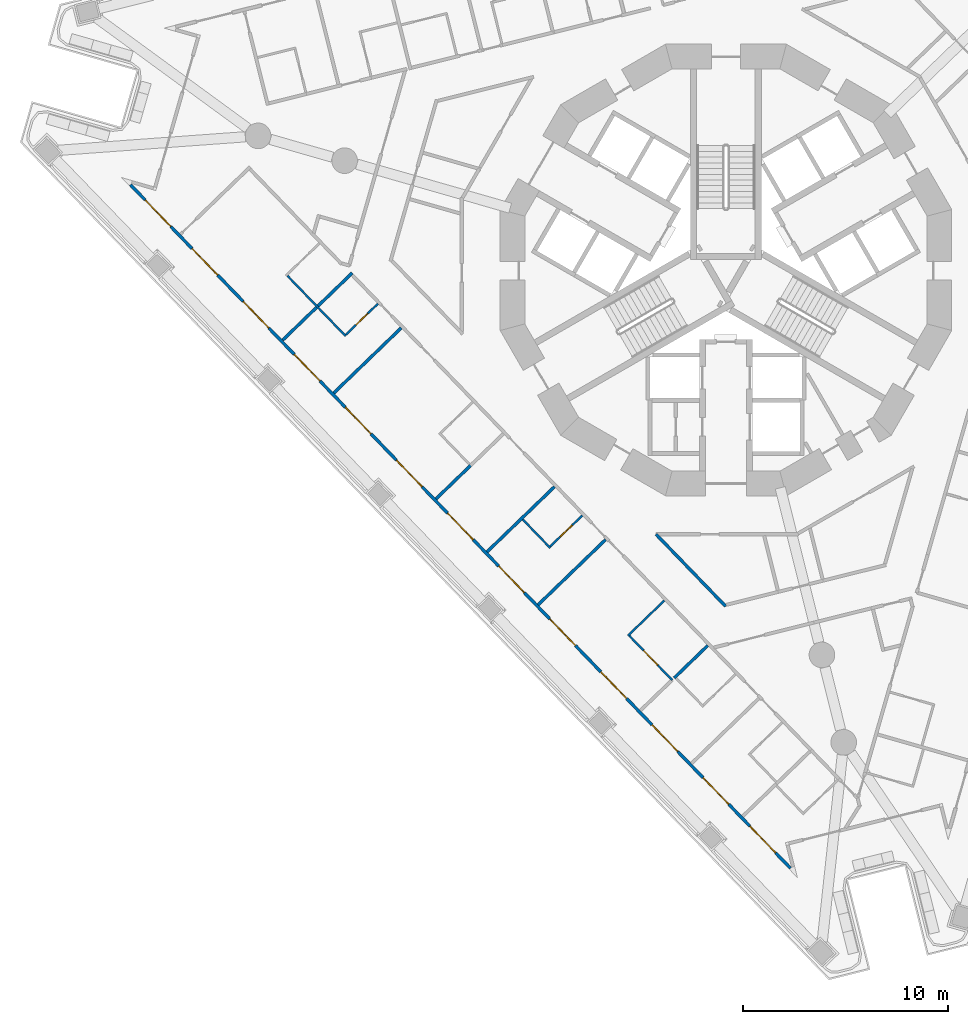
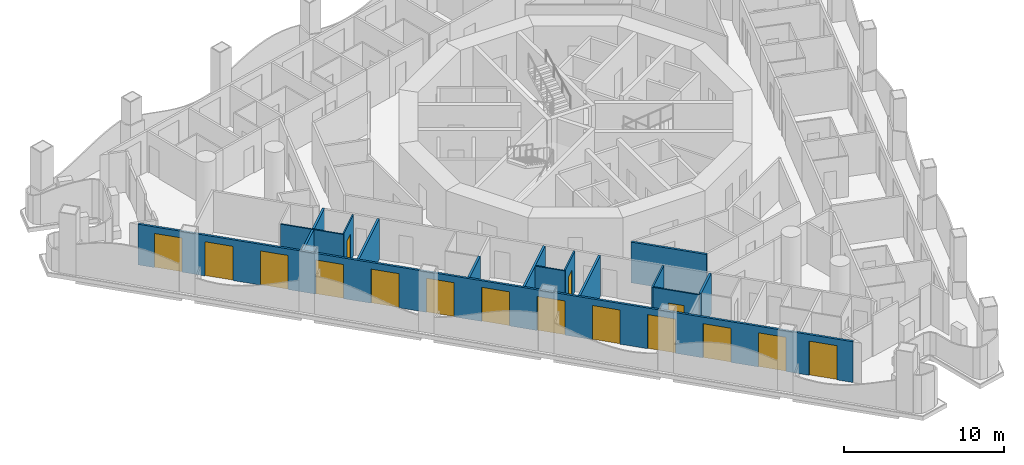
# One storey, part 2 of 20: 16 doors, 14 walls, 16 openings.
"""IFC4 building model written with IfcOpenShell, lengths in metres."""

from ifc_helpers import new_model, si_unit, direction, frame, frame_2d, origin, place, context, subcontext, project, spatial, polyline, rectangle, outline, extrude, material, layer, layer_set, type_object, element, fill, save


model = new_model("IFC4")

# Units and contexts
model_context = context("Model", 3, precision=1e-05, world=origin(), true_north=direction((0.0, 1.0)))
body_context = subcontext(model_context, "Body", "Model", "MODEL_VIEW")
ifc_project = project(units=[si_unit("LENGTHUNIT", "METRE"), si_unit("AREAUNIT", "SQUARE_METRE"), si_unit("VOLUMEUNIT", "CUBIC_METRE"), si_unit("PLANEANGLEUNIT", "RADIAN"), si_unit("MASSUNIT", "GRAM", prefix="KILO")], contexts=[model_context])

# Site, building, storey
site_placement = place(None, origin())
site = spatial("IfcSite", under=ifc_project, at=site_placement, CompositionType="ELEMENT")
building_placement = place(site_placement, origin())
building = spatial("IfcBuilding", under=site, at=building_placement, Name="Trine Commons Tower", CompositionType="ELEMENT")
storey_placement = place(building_placement, frame((0.0, 0.0, 116.10009765625)))
storey = spatial("IfcBuildingStorey", under=building, at=storey_placement, Name="L29", CompositionType="ELEMENT", Elevation=116.10009765625)

# Wall, openings, doors
ifc_material_1 = material(Name="Aluminium-framed insulated wall panel", Category="aluminium")
ifc_layer_1 = layer(ifc_material_1, 0.14990234375)
ifc_layer_set_1 = layer_set([ifc_layer_1], Name="Aluminium-framed insulated wall panel")
wall_type_1 = type_object("IfcWallType", Name="Glazed frame wall 150, EI 60", PredefinedType="SOLIDWALL", material=ifc_layer_set_1)
wall_1_placement = place(storey_placement, frame((83.25048828125, 33.21630859375, 0.0), z_axis=(0.0, 0.0, 1.0), x_axis=(-0.69466017463, 0.719338058067, 0.0)))
wall_1 = element("IfcWall", 1, at=wall_1_placement, inside=storey, type_object=wall_type_1, Name="Glazed frame wall F3", PredefinedType="SOLIDWALL", context=body_context, shape_type="SweptSolid", body=[
    extrude(outline(polyline([(0.1494140625, 0.074951171875), (0.1494140625, -0.074951171875), (46.496826171875, -0.074951171875), (46.496826171875, 0.074951171875), (0.1494140625, 0.074951171875)])), origin(), (0.0, 0.0, 1.0), 3.099853515625),
])
opening_1_placement = place(wall_1_placement, frame((1.194091796875, 0.0, 0.0)))
opening_1 = element("IfcOpeningElement", 2, at=opening_1_placement, cuts=wall_1, Name="Opening BD-3F3-01", PredefinedType="OPENING", context=body_context, shape_type="SweptSolid", body=[
    extrude(rectangle(XDim=1.800048828125, YDim=2.60009765625, at=frame_2d((0.89990234375, 1.300048828125))), frame((0.0, 0.0849609375, 0.0), z_axis=(0.0, -1.0, 0.0), x_axis=(1.0, 0.0, 0.0)), (0.0, 0.0, 1.0), 0.169921875),
])
opening_2_placement = place(wall_1_placement, frame((4.482421875, 0.0, 0.0)))
opening_2 = element("IfcOpeningElement", 3, at=opening_2_placement, cuts=wall_1, Name="Opening BD-3F3-02", PredefinedType="OPENING", context=body_context, shape_type="SweptSolid", body=[
    extrude(rectangle(XDim=1.800048828125, YDim=2.60009765625, at=frame_2d((0.89990234375, 1.300048828125))), frame((0.0, 0.0849609375, 0.0), z_axis=(0.0, -1.0, 0.0), x_axis=(1.0, 0.0, 0.0)), (0.0, 0.0, 1.0), 0.169921875),
])
opening_3_placement = place(wall_1_placement, frame((8.070556640625, 0.0, 0.0)))
opening_3 = element("IfcOpeningElement", 4, at=opening_3_placement, cuts=wall_1, Name="Opening BD-3F3-03", PredefinedType="OPENING", context=body_context, shape_type="SweptSolid", body=[
    extrude(rectangle(XDim=1.800048828125, YDim=2.60009765625, at=frame_2d((0.89990234375, 1.300048828125))), frame((0.0, 0.0849609375, 0.0), z_axis=(0.0, -1.0, 0.0), x_axis=(1.0, 0.0, 0.0)), (0.0, 0.0, 1.0), 0.169921875),
])
opening_4_placement = place(wall_1_placement, frame((11.65869140625, 0.0, 0.0)))
opening_4 = element("IfcOpeningElement", 5, at=opening_4_placement, cuts=wall_1, Name="Opening BD-3F3-04", PredefinedType="OPENING", context=body_context, shape_type="SweptSolid", body=[
    extrude(rectangle(XDim=1.800048828125, YDim=2.60009765625, at=frame_2d((0.89990234375, 1.300048828125))), frame((0.0, 0.0849609375, 0.0), z_axis=(0.0, -1.0, 0.0), x_axis=(1.0, 0.0, 0.0)), (0.0, 0.0, 1.0), 0.169921875),
])
opening_5_placement = place(wall_1_placement, frame((15.246826171875, 0.0, 0.0)))
opening_5 = element("IfcOpeningElement", 6, at=opening_5_placement, cuts=wall_1, Name="Opening BD-3F3-05", PredefinedType="OPENING", context=body_context, shape_type="SweptSolid", body=[
    extrude(rectangle(XDim=1.800048828125, YDim=2.60009765625, at=frame_2d((0.89990234375, 1.300048828125))), frame((0.0, 0.0849609375, 0.0), z_axis=(0.0, -1.0, 0.0), x_axis=(1.0, 0.0, 0.0)), (0.0, 0.0, 1.0), 0.169921875),
])
opening_6_placement = place(wall_1_placement, frame((18.835205078125, 0.0, 0.0)))
opening_6 = element("IfcOpeningElement", 7, at=opening_6_placement, cuts=wall_1, Name="Opening BD-3F3-06", PredefinedType="OPENING", context=body_context, shape_type="SweptSolid", body=[
    extrude(rectangle(XDim=1.800048828125, YDim=2.60009765625, at=frame_2d((0.89990234375, 1.300048828125))), frame((0.0, 0.0849609375, 0.0), z_axis=(0.0, -1.0, 0.0), x_axis=(1.0, 0.0, 0.0)), (0.0, 0.0, 1.0), 0.169921875),
])
opening_7_placement = place(wall_1_placement, frame((22.42333984375, 0.0, 0.0)))
opening_7 = element("IfcOpeningElement", 8, at=opening_7_placement, cuts=wall_1, Name="Opening BD-3F3-07", PredefinedType="OPENING", context=body_context, shape_type="SweptSolid", body=[
    extrude(rectangle(XDim=1.800048828125, YDim=2.60009765625, at=frame_2d((0.89990234375, 1.300048828125))), frame((0.0, 0.0849609375, 0.0), z_axis=(0.0, -1.0, 0.0), x_axis=(1.0, 0.0, 0.0)), (0.0, 0.0, 1.0), 0.169921875),
])
opening_8_placement = place(wall_1_placement, frame((26.011474609375, 0.0, 0.0)))
opening_8 = element("IfcOpeningElement", 9, at=opening_8_placement, cuts=wall_1, Name="Opening BD-3F3-08", PredefinedType="OPENING", context=body_context, shape_type="SweptSolid", body=[
    extrude(rectangle(XDim=1.800048828125, YDim=2.60009765625, at=frame_2d((0.89990234375, 1.300048828125))), frame((0.0, 0.0849609375, 0.0), z_axis=(0.0, -1.0, 0.0), x_axis=(1.0, 0.0, 0.0)), (0.0, 0.0, 1.0), 0.169921875),
])
opening_9_placement = place(wall_1_placement, frame((29.599609375, 0.0, 0.0)))
opening_9 = element("IfcOpeningElement", 10, at=opening_9_placement, cuts=wall_1, Name="Opening BD-3F3-09", PredefinedType="OPENING", context=body_context, shape_type="SweptSolid", body=[
    extrude(rectangle(XDim=1.800048828125, YDim=2.60009765625, at=frame_2d((0.89990234375, 1.300048828125))), frame((0.0, 0.0849609375, 0.0), z_axis=(0.0, -1.0, 0.0), x_axis=(1.0, 0.0, 0.0)), (0.0, 0.0, 1.0), 0.169921875),
])
opening_10_placement = place(wall_1_placement, frame((33.18798828125, 0.0, 0.0)))
opening_10 = element("IfcOpeningElement", 11, at=opening_10_placement, cuts=wall_1, Name="Opening BD-3F3-10", PredefinedType="OPENING", context=body_context, shape_type="SweptSolid", body=[
    extrude(rectangle(XDim=1.800048828125, YDim=2.60009765625, at=frame_2d((0.89990234375, 1.300048828125))), frame((0.0, 0.0849609375, 0.0), z_axis=(0.0, -1.0, 0.0), x_axis=(1.0, 0.0, 0.0)), (0.0, 0.0, 1.0), 0.169921875),
])
opening_11_placement = place(wall_1_placement, frame((36.776123046875, 0.0, 0.0)))
opening_11 = element("IfcOpeningElement", 12, at=opening_11_placement, cuts=wall_1, Name="Opening BD-3F3-11", PredefinedType="OPENING", context=body_context, shape_type="SweptSolid", body=[
    extrude(rectangle(XDim=1.800048828125, YDim=2.60009765625, at=frame_2d((0.89990234375, 1.300048828125))), frame((0.0, 0.0849609375, 0.0), z_axis=(0.0, -1.0, 0.0), x_axis=(1.0, 0.0, 0.0)), (0.0, 0.0, 1.0), 0.169921875),
])
opening_12_placement = place(wall_1_placement, frame((40.3642578125, 0.0, 0.0)))
opening_12 = element("IfcOpeningElement", 13, at=opening_12_placement, cuts=wall_1, Name="Opening BD-3F3-12", PredefinedType="OPENING", context=body_context, shape_type="SweptSolid", body=[
    extrude(rectangle(XDim=1.800048828125, YDim=2.60009765625, at=frame_2d((0.89990234375, 1.300048828125))), frame((0.0, 0.0849609375, 0.0), z_axis=(0.0, -1.0, 0.0), x_axis=(1.0, 0.0, 0.0)), (0.0, 0.0, 1.0), 0.169921875),
])
opening_13_placement = place(wall_1_placement, frame((43.652587890625, 0.0, 0.0)))
opening_13 = element("IfcOpeningElement", 14, at=opening_13_placement, cuts=wall_1, Name="Opening BD-3F3-13", PredefinedType="OPENING", context=body_context, shape_type="SweptSolid", body=[
    extrude(rectangle(XDim=1.800048828125, YDim=2.60009765625, at=frame_2d((0.89990234375, 1.300048828125))), frame((0.0, 0.0849609375, 0.0), z_axis=(0.0, -1.0, 0.0), x_axis=(1.0, 0.0, 0.0)), (0.0, 0.0, 1.0), 0.169921875),
])
ifc_material_2 = material(Name="Anodised aluminium frame with double glazing", Category="aluminium")
door_type_1 = type_object("IfcDoorType", Name="Sliding loggia door 1800x2600", OperationType="SLIDING_TO_LEFT", PredefinedType="DOOR", material=ifc_material_2)
door_1_placement = place(opening_1_placement, origin())
door_1 = element("IfcDoor", 15, at=door_1_placement, inside=storey, type_object=door_type_1, Name="Loggia door F3 1", OperationType="SLIDING_TO_LEFT", OverallHeight=2.60009765625, OverallWidth=1.800048828125, PredefinedType="DOOR", context=body_context, shape_type="SweptSolid", body=[
    extrude(rectangle(XDim=1.800048828125, YDim=2.60009765625, at=frame_2d((0.89990234375, 1.300048828125))), frame((0.0, 0.02490234375, 0.0), z_axis=(0.0, -1.0, 0.0), x_axis=(1.0, 0.0, 0.0)), (0.0, 0.0, 1.0), 0.050048828125),
])
fill(opening_1, door_1)
door_2_placement = place(opening_2_placement, origin())
door_2 = element("IfcDoor", 16, at=door_2_placement, inside=storey, type_object=door_type_1, Name="Loggia door F3 2", OperationType="SLIDING_TO_LEFT", OverallHeight=2.60009765625, OverallWidth=1.800048828125, PredefinedType="DOOR", context=body_context, shape_type="SweptSolid", body=[
    extrude(rectangle(XDim=1.800048828125, YDim=2.60009765625, at=frame_2d((0.89990234375, 1.300048828125))), frame((0.0, 0.02490234375, 0.0), z_axis=(0.0, -1.0, 0.0), x_axis=(1.0, 0.0, 0.0)), (0.0, 0.0, 1.0), 0.050048828125),
])
fill(opening_2, door_2)
door_3_placement = place(opening_3_placement, origin())
door_3 = element("IfcDoor", 17, at=door_3_placement, inside=storey, type_object=door_type_1, Name="Loggia door F3 3", OperationType="SLIDING_TO_LEFT", OverallHeight=2.60009765625, OverallWidth=1.800048828125, PredefinedType="DOOR", context=body_context, shape_type="SweptSolid", body=[
    extrude(rectangle(XDim=1.800048828125, YDim=2.60009765625, at=frame_2d((0.89990234375, 1.300048828125))), frame((0.0, 0.02490234375, 0.0), z_axis=(0.0, -1.0, 0.0), x_axis=(1.0, 0.0, 0.0)), (0.0, 0.0, 1.0), 0.050048828125),
])
fill(opening_3, door_3)
door_4_placement = place(opening_4_placement, origin())
door_4 = element("IfcDoor", 18, at=door_4_placement, inside=storey, type_object=door_type_1, Name="Loggia door F3 4", OperationType="SLIDING_TO_LEFT", OverallHeight=2.60009765625, OverallWidth=1.800048828125, PredefinedType="DOOR", context=body_context, shape_type="SweptSolid", body=[
    extrude(rectangle(XDim=1.800048828125, YDim=2.60009765625, at=frame_2d((0.89990234375, 1.300048828125))), frame((0.0, 0.02490234375, 0.0), z_axis=(0.0, -1.0, 0.0), x_axis=(1.0, 0.0, 0.0)), (0.0, 0.0, 1.0), 0.050048828125),
])
fill(opening_4, door_4)
door_5_placement = place(opening_5_placement, origin())
door_5 = element("IfcDoor", 19, at=door_5_placement, inside=storey, type_object=door_type_1, Name="Loggia door F3 5", OperationType="SLIDING_TO_LEFT", OverallHeight=2.60009765625, OverallWidth=1.800048828125, PredefinedType="DOOR", context=body_context, shape_type="SweptSolid", body=[
    extrude(rectangle(XDim=1.800048828125, YDim=2.60009765625, at=frame_2d((0.89990234375, 1.300048828125))), frame((0.0, 0.02490234375, 0.0), z_axis=(0.0, -1.0, 0.0), x_axis=(1.0, 0.0, 0.0)), (0.0, 0.0, 1.0), 0.050048828125),
])
fill(opening_5, door_5)
door_6_placement = place(opening_6_placement, origin())
door_6 = element("IfcDoor", 20, at=door_6_placement, inside=storey, type_object=door_type_1, Name="Loggia door F3 6", OperationType="SLIDING_TO_LEFT", OverallHeight=2.60009765625, OverallWidth=1.800048828125, PredefinedType="DOOR", context=body_context, shape_type="SweptSolid", body=[
    extrude(rectangle(XDim=1.800048828125, YDim=2.60009765625, at=frame_2d((0.89990234375, 1.300048828125))), frame((0.0, 0.02490234375, 0.0), z_axis=(0.0, -1.0, 0.0), x_axis=(1.0, 0.0, 0.0)), (0.0, 0.0, 1.0), 0.050048828125),
])
fill(opening_6, door_6)
door_7_placement = place(opening_7_placement, origin())
door_7 = element("IfcDoor", 21, at=door_7_placement, inside=storey, type_object=door_type_1, Name="Loggia door F3 7", OperationType="SLIDING_TO_LEFT", OverallHeight=2.60009765625, OverallWidth=1.800048828125, PredefinedType="DOOR", context=body_context, shape_type="SweptSolid", body=[
    extrude(rectangle(XDim=1.800048828125, YDim=2.60009765625, at=frame_2d((0.89990234375, 1.300048828125))), frame((0.0, 0.02490234375, 0.0), z_axis=(0.0, -1.0, 0.0), x_axis=(1.0, 0.0, 0.0)), (0.0, 0.0, 1.0), 0.050048828125),
])
fill(opening_7, door_7)
door_8_placement = place(opening_8_placement, origin())
door_8 = element("IfcDoor", 22, at=door_8_placement, inside=storey, type_object=door_type_1, Name="Loggia door F3 8", OperationType="SLIDING_TO_LEFT", OverallHeight=2.60009765625, OverallWidth=1.800048828125, PredefinedType="DOOR", context=body_context, shape_type="SweptSolid", body=[
    extrude(rectangle(XDim=1.800048828125, YDim=2.60009765625, at=frame_2d((0.89990234375, 1.300048828125))), frame((0.0, 0.02490234375, 0.0), z_axis=(0.0, -1.0, 0.0), x_axis=(1.0, 0.0, 0.0)), (0.0, 0.0, 1.0), 0.050048828125),
])
fill(opening_8, door_8)
door_9_placement = place(opening_9_placement, origin())
door_9 = element("IfcDoor", 23, at=door_9_placement, inside=storey, type_object=door_type_1, Name="Loggia door F3 9", OperationType="SLIDING_TO_LEFT", OverallHeight=2.60009765625, OverallWidth=1.800048828125, PredefinedType="DOOR", context=body_context, shape_type="SweptSolid", body=[
    extrude(rectangle(XDim=1.800048828125, YDim=2.60009765625, at=frame_2d((0.89990234375, 1.300048828125))), frame((0.0, 0.02490234375, 0.0), z_axis=(0.0, -1.0, 0.0), x_axis=(1.0, 0.0, 0.0)), (0.0, 0.0, 1.0), 0.050048828125),
])
fill(opening_9, door_9)
door_10_placement = place(opening_10_placement, origin())
door_10 = element("IfcDoor", 24, at=door_10_placement, inside=storey, type_object=door_type_1, Name="Loggia door F3 10", OperationType="SLIDING_TO_LEFT", OverallHeight=2.60009765625, OverallWidth=1.800048828125, PredefinedType="DOOR", context=body_context, shape_type="SweptSolid", body=[
    extrude(rectangle(XDim=1.800048828125, YDim=2.60009765625, at=frame_2d((0.89990234375, 1.300048828125))), frame((0.0, 0.02490234375, 0.0), z_axis=(0.0, -1.0, 0.0), x_axis=(1.0, 0.0, 0.0)), (0.0, 0.0, 1.0), 0.050048828125),
])
fill(opening_10, door_10)
door_11_placement = place(opening_11_placement, origin())
door_11 = element("IfcDoor", 25, at=door_11_placement, inside=storey, type_object=door_type_1, Name="Loggia door F3 11", OperationType="SLIDING_TO_LEFT", OverallHeight=2.60009765625, OverallWidth=1.800048828125, PredefinedType="DOOR", context=body_context, shape_type="SweptSolid", body=[
    extrude(rectangle(XDim=1.800048828125, YDim=2.60009765625, at=frame_2d((0.89990234375, 1.300048828125))), frame((0.0, 0.02490234375, 0.0), z_axis=(0.0, -1.0, 0.0), x_axis=(1.0, 0.0, 0.0)), (0.0, 0.0, 1.0), 0.050048828125),
])
fill(opening_11, door_11)
door_12_placement = place(opening_12_placement, origin())
door_12 = element("IfcDoor", 26, at=door_12_placement, inside=storey, type_object=door_type_1, Name="Loggia door F3 12", OperationType="SLIDING_TO_LEFT", OverallHeight=2.60009765625, OverallWidth=1.800048828125, PredefinedType="DOOR", context=body_context, shape_type="SweptSolid", body=[
    extrude(rectangle(XDim=1.800048828125, YDim=2.60009765625, at=frame_2d((0.89990234375, 1.300048828125))), frame((0.0, 0.02490234375, 0.0), z_axis=(0.0, -1.0, 0.0), x_axis=(1.0, 0.0, 0.0)), (0.0, 0.0, 1.0), 0.050048828125),
])
fill(opening_12, door_12)
door_13_placement = place(opening_13_placement, origin())
door_13 = element("IfcDoor", 27, at=door_13_placement, inside=storey, type_object=door_type_1, Name="Loggia door F3 13", OperationType="SLIDING_TO_LEFT", OverallHeight=2.60009765625, OverallWidth=1.800048828125, PredefinedType="DOOR", context=body_context, shape_type="SweptSolid", body=[
    extrude(rectangle(XDim=1.800048828125, YDim=2.60009765625, at=frame_2d((0.89990234375, 1.300048828125))), frame((0.0, 0.02490234375, 0.0), z_axis=(0.0, -1.0, 0.0), x_axis=(1.0, 0.0, 0.0)), (0.0, 0.0, 1.0), 0.050048828125),
])
fill(opening_13, door_13)

# Walls
ifc_material_3 = material(Name="Gypsum plasterboard on steel stud", Category="steel")
ifc_layer_2 = layer(ifc_material_3, 0.14990234375)
ifc_layer_set_2 = layer_set([ifc_layer_2], Name="Gypsum plasterboard on steel stud")
wall_type_2 = type_object("IfcWallType", Name="Unit and corridor wall 150 mm, EI 60", PredefinedType="PARTITIONING", material=ifc_layer_set_2)
wall_2_placement = place(storey_placement, frame((58.37890625, 59.079833984375, 0.0), z_axis=(0.0, 0.0, 1.0), x_axis=(0.719355135732, 0.694642489844, 0.0)))
element("IfcWall", 28, at=wall_2_placement, inside=storey, type_object=wall_type_2, Name="Partition 006", PredefinedType="PARTITIONING", context=body_context, shape_type="SweptSolid", body=[
    extrude(rectangle(XDim=4.72216796875, YDim=0.14990234375, at=frame_2d((2.361083984375, 0.0))), origin(), (0.0, 0.0, 1.0), 3.099853515625),
])
wall_3_placement = place(storey_placement, frame((60.871826171875, 56.498779296875, 0.0), z_axis=(0.0, 0.0, 1.0), x_axis=(0.719360056376, 0.694637394106, 0.0)))
element("IfcWall", 29, at=wall_3_placement, inside=storey, type_object=wall_type_2, Name="Partition 014", PredefinedType="PARTITIONING", context=body_context, shape_type="SweptSolid", body=[
    extrude(rectangle(XDim=4.572265625, YDim=0.14990234375, at=frame_2d((2.2861328125, 0.0))), origin(), (0.0, 0.0, 1.0), 3.099853515625),
])
wall_4_placement = place(storey_placement, frame((65.856689453125, 51.335693359375, 0.0), z_axis=(0.0, 0.0, 1.0), x_axis=(0.719352404425, 0.694645318308, 0.0)))
element("IfcWall", 30, at=wall_4_placement, inside=storey, type_object=wall_type_2, Name="Partition 030", PredefinedType="PARTITIONING", context=body_context, shape_type="SweptSolid", body=[
    extrude(rectangle(XDim=2.401123046875, YDim=0.14990234375, at=frame_2d((1.20068359375, 0.0))), origin(), (0.0, 0.0, 1.0), 3.099853515625),
])
wall_5_placement = place(storey_placement, frame((68.348876953125, 48.7548828125, 0.0), z_axis=(0.0, 0.0, 1.0), x_axis=(0.719356389488, 0.694641191482, 0.0)))
element("IfcWall", 31, at=wall_5_placement, inside=storey, type_object=wall_type_2, Name="Partition 042", PredefinedType="PARTITIONING", context=body_context, shape_type="SweptSolid", body=[
    extrude(rectangle(XDim=4.573486328125, YDim=0.14990234375, at=frame_2d((2.28662109375, 0.0))), origin(), (0.0, 0.0, 1.0), 3.099853515625),
])
wall_6_placement = place(storey_placement, frame((70.841796875, 46.173828125, 0.0), z_axis=(0.0, 0.0, 1.0), x_axis=(0.719279103552, 0.694721218327, 0.0)))
element("IfcWall", 32, at=wall_6_placement, inside=storey, type_object=wall_type_2, Name="Partition 048", PredefinedType="PARTITIONING", context=body_context, shape_type="SweptSolid", body=[
    extrude(rectangle(XDim=4.572998046875, YDim=0.14990234375, at=frame_2d((2.28662109375, 0.0))), origin(), (0.0, 0.0, 1.0), 3.099853515625),
])
wall_7_placement = place(storey_placement, frame((76.587890625, 49.613037109375, 0.0), z_axis=(0.0, 0.0, 1.0), x_axis=(0.694768247914, -0.719233676694, 0.0)))
element("IfcWall", 33, at=wall_7_placement, inside=storey, type_object=wall_type_2, Name="Partition 061", PredefinedType="PARTITIONING", context=body_context, shape_type="SweptSolid", body=[
    extrude(rectangle(XDim=4.8896484375, YDim=0.14990234375, at=frame_2d((2.44482421875, 0.0))), origin(), (0.0, 0.0, 1.0), 3.099853515625),
])
wall_8_placement = place(storey_placement, frame((77.47998046875, 42.6083984375, 0.0), z_axis=(0.0, 0.0, 1.0), x_axis=(0.719397760928, 0.694598345501, 0.0)))
element("IfcWall", 34, at=wall_8_placement, inside=storey, type_object=wall_type_2, Name="Partition 065", PredefinedType="PARTITIONING", context=body_context, shape_type="SweptSolid", body=[
    extrude(rectangle(XDim=2.274169921875, YDim=0.14990234375, at=frame_2d((1.13720703125, 0.0))), origin(), (0.0, 0.0, 1.0), 3.099853515625),
])
ifc_layer_3 = layer(ifc_material_3, 0.10009765625)
ifc_layer_set_3 = layer_set([ifc_layer_3], Name="Gypsum plasterboard on steel stud")
wall_type_3 = type_object("IfcWallType", Name="Unit partition 100 mm, no rating", PredefinedType="PARTITIONING", material=ifc_layer_set_3)
wall_9_placement = place(storey_placement, frame((58.608642578125, 62.220947265625, 0.0), z_axis=(0.0, 0.0, 1.0), x_axis=(0.694702903984, -0.71929679215, 0.0)))
element("IfcWall", 35, at=wall_9_placement, inside=storey, type_object=wall_type_3, Name="Partition 008", PredefinedType="PARTITIONING", context=body_context, shape_type="SweptSolid", body=[
    extrude(rectangle(XDim=4.099853515625, YDim=0.10009765625, at=frame_2d((2.0498046875, 0.0))), origin(), (0.0, 0.0, 1.0), 3.099853515625),
])

# Wall, opening, door
wall_10_placement = place(storey_placement, frame((61.4580078125, 59.3427734375, 0.0), z_axis=(0.0, 0.0, 1.0), x_axis=(0.719343447932, 0.694654593245, 0.0)))
wall_10 = element("IfcWall", 36, at=wall_10_placement, inside=storey, type_object=wall_type_3, Name="Partition 016", PredefinedType="PARTITIONING", context=body_context, shape_type="SweptSolid", body=[
    extrude(rectangle(XDim=2.175537109375, YDim=0.10009765625, at=frame_2d((1.087890625, 0.0))), origin(), (0.0, 0.0, 1.0), 3.099853515625),
])
opening_14_placement = place(wall_10_placement, frame((0.687744140625, 0.0, 0.0)))
opening_14 = element("IfcOpeningElement", 37, at=opening_14_placement, cuts=wall_10, Name="Opening D-3C66", PredefinedType="OPENING", context=body_context, shape_type="SweptSolid", body=[
    extrude(rectangle(XDim=0.800048828125, YDim=2.10009765625, at=frame_2d((0.39990234375, 1.050048828125))), frame((0.0, 0.06005859375, 0.0), z_axis=(0.0, -1.0, 0.0), x_axis=(1.0, 0.0, 0.0)), (0.0, 0.0, 1.0), 0.1201171875),
])
ifc_material_4 = material(Name="Painted timber", Category="wood")
door_type_2 = type_object("IfcDoorType", Name="Internal door 800 x 2100, NOT RATED", OperationType="NOTDEFINED", PredefinedType="DOOR", material=ifc_material_4)
door_14_placement = place(opening_14_placement, frame((0.800048828125, 0.0, 0.0), z_axis=(0.0, 0.0, 1.0), x_axis=(-1.0, 0.0, 0.0)))
door_14 = element("IfcDoor", 38, at=door_14_placement, inside=storey, type_object=door_type_2, Name="Door D-3C66", OperationType="SINGLE_SWING_RIGHT", OverallHeight=2.10009765625, OverallWidth=0.800048828125, PredefinedType="DOOR", context=body_context, shape_type="SweptSolid", body=[
    extrude(rectangle(XDim=0.800048828125, YDim=2.10009765625, at=frame_2d((0.39990234375, 1.050048828125))), frame((0.0, 0.02490234375, 0.0), z_axis=(0.0, -1.0, 0.0), x_axis=(1.0, 0.0, 0.0)), (0.0, 0.0, 1.0), 0.050048828125),
])
fill(opening_14, door_14)

# Wall
wall_11_placement = place(storey_placement, frame((70.090087890625, 50.33203125, 0.0), z_axis=(0.0, 0.0, 1.0), x_axis=(0.694700856484, -0.719298769636, 0.0)))
element("IfcWall", 39, at=wall_11_placement, inside=storey, type_object=wall_type_3, Name="Partition 046", PredefinedType="PARTITIONING", context=body_context, shape_type="SweptSolid", body=[
    extrude(rectangle(XDim=1.925537109375, YDim=0.10009765625, at=frame_2d((0.962890625, 0.0))), origin(), (0.0, 0.0, 1.0), 3.099853515625),
])

# Wall, opening, door
wall_12_placement = place(storey_placement, frame((71.428955078125, 49.017578125, 0.0), z_axis=(0.0, 0.0, 1.0), x_axis=(0.71918093231, 0.694822845481, 0.0)))
wall_12 = element("IfcWall", 40, at=wall_12_placement, inside=storey, type_object=wall_type_3, Name="Partition 050", PredefinedType="PARTITIONING", context=body_context, shape_type="SweptSolid", body=[
    extrude(rectangle(XDim=2.175048828125, YDim=0.10009765625, at=frame_2d((1.08740234375, 0.0))), origin(), (0.0, 0.0, 1.0), 3.099853515625),
])
opening_15_placement = place(wall_12_placement, frame((0.6875, 0.0, 0.0)))
opening_15 = element("IfcOpeningElement", 41, at=opening_15_placement, cuts=wall_12, Name="Opening D-3C64", PredefinedType="OPENING", context=body_context, shape_type="SweptSolid", body=[
    extrude(rectangle(XDim=0.800048828125, YDim=2.10009765625, at=frame_2d((0.39990234375, 1.050048828125))), frame((0.0, 0.06005859375, 0.0), z_axis=(0.0, -1.0, 0.0), x_axis=(1.0, 0.0, 0.0)), (0.0, 0.0, 1.0), 0.1201171875),
])
door_15_placement = place(opening_15_placement, frame((0.800048828125, 0.0, 0.0), z_axis=(0.0, 0.0, 1.0), x_axis=(-1.0, 0.0, 0.0)))
door_15 = element("IfcDoor", 42, at=door_15_placement, inside=storey, type_object=door_type_2, Name="Door D-3C64", OperationType="SINGLE_SWING_RIGHT", OverallHeight=2.10009765625, OverallWidth=0.800048828125, PredefinedType="DOOR", context=body_context, shape_type="SweptSolid", body=[
    extrude(rectangle(XDim=0.800048828125, YDim=2.10009765625, at=frame_2d((0.39990234375, 1.050048828125))), frame((0.0, 0.02490234375, 0.0), z_axis=(0.0, -1.0, 0.0), x_axis=(1.0, 0.0, 0.0)), (0.0, 0.0, 1.0), 0.050048828125),
])
fill(opening_15, door_15)

# Wall
wall_13_placement = place(storey_placement, frame((75.217041015625, 44.663330078125, 0.0), z_axis=(0.0, 0.0, 1.0), x_axis=(0.719620691494, 0.694367381415, 0.0)))
element("IfcWall", 43, at=wall_13_placement, inside=storey, type_object=wall_type_3, Name="Partition 056", PredefinedType="PARTITIONING", context=body_context, shape_type="SweptSolid", body=[
    extrude(rectangle(XDim=2.474853515625, YDim=0.10009765625, at=frame_2d((1.2373046875, 0.0))), origin(), (0.0, 0.0, 1.0), 3.099853515625),
])

# Wall, opening, door
wall_14_placement = place(storey_placement, frame((75.28759765625, 44.662109375, 0.0), z_axis=(0.0, 0.0, 1.0), x_axis=(0.694713575766, -0.719286485099, 0.0)))
wall_14 = element("IfcWall", 44, at=wall_14_placement, inside=storey, type_object=wall_type_3, Name="Partition 057", PredefinedType="PARTITIONING", context=body_context, shape_type="SweptSolid", body=[
    extrude(rectangle(XDim=3.00048828125, YDim=0.10009765625, at=frame_2d((1.500244140625, 0.0))), origin(), (0.0, 0.0, 1.0), 3.099853515625),
])
opening_16_placement = place(wall_14_placement, frame((1.0, 0.0, 0.0)))
opening_16 = element("IfcOpeningElement", 45, at=opening_16_placement, cuts=wall_14, Name="Opening D-3C63", PredefinedType="OPENING", context=body_context, shape_type="SweptSolid", body=[
    extrude(rectangle(XDim=1.0, YDim=2.10009765625, at=frame_2d((0.5, 1.050048828125))), frame((0.0, 0.06005859375, 0.0), z_axis=(0.0, -1.0, 0.0), x_axis=(1.0, 0.0, 0.0)), (0.0, 0.0, 1.0), 0.1201171875),
])
door_type_3 = type_object("IfcDoorType", Name="Internal door 1000 x 2100, NOT RATED", OperationType="NOTDEFINED", PredefinedType="DOOR", material=ifc_material_4)
door_16_placement = place(opening_16_placement, frame((1.0, 0.0, 0.0), z_axis=(0.0, 0.0, 1.0), x_axis=(-1.0, 0.0, 0.0)))
door_16 = element("IfcDoor", 46, at=door_16_placement, inside=storey, type_object=door_type_3, Name="Door D-3C63", OperationType="SINGLE_SWING_LEFT", OverallHeight=2.10009765625, OverallWidth=1.0, PredefinedType="DOOR", context=body_context, shape_type="SweptSolid", body=[
    extrude(rectangle(XDim=1.0, YDim=2.10009765625, at=frame_2d((0.5, 1.050048828125))), frame((0.0, 0.02490234375, 0.0), z_axis=(0.0, -1.0, 0.0), x_axis=(1.0, 0.0, 0.0)), (0.0, 0.0, 1.0), 0.050048828125),
])
fill(opening_16, door_16)

save(model, "model.ifc")
